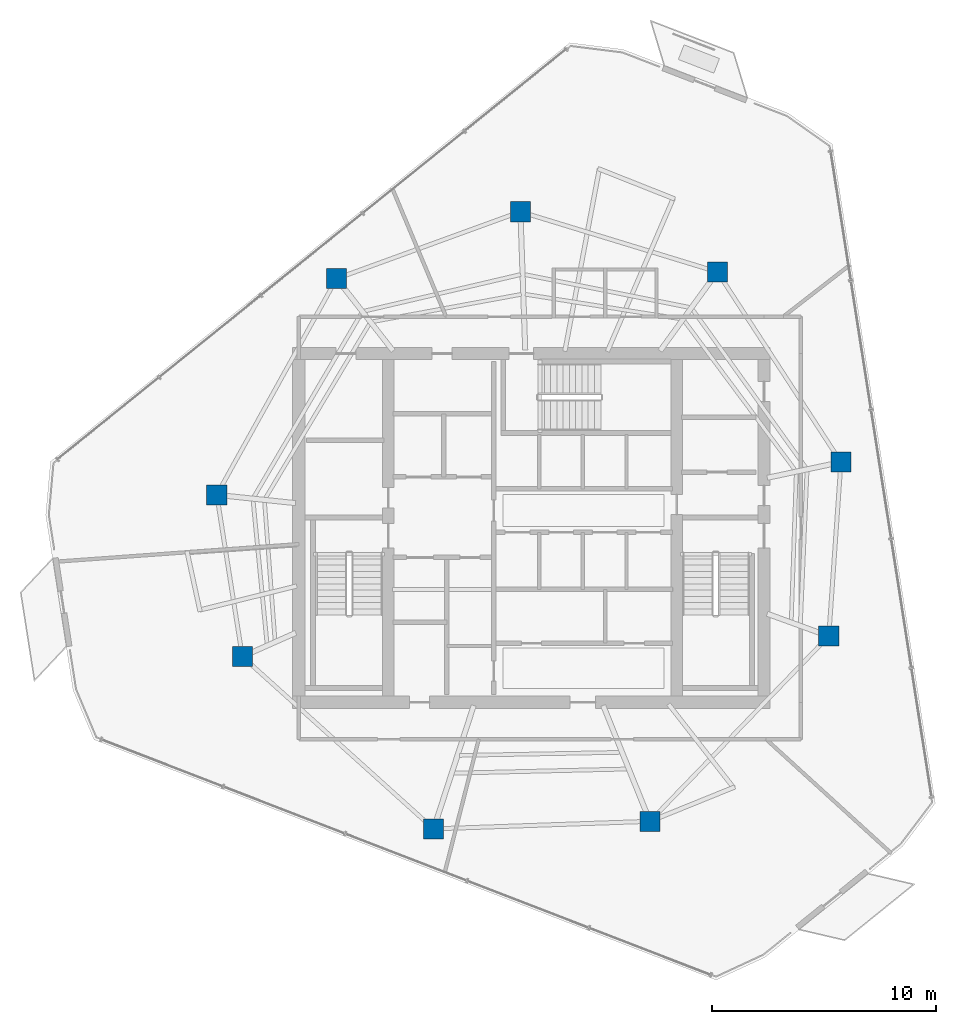
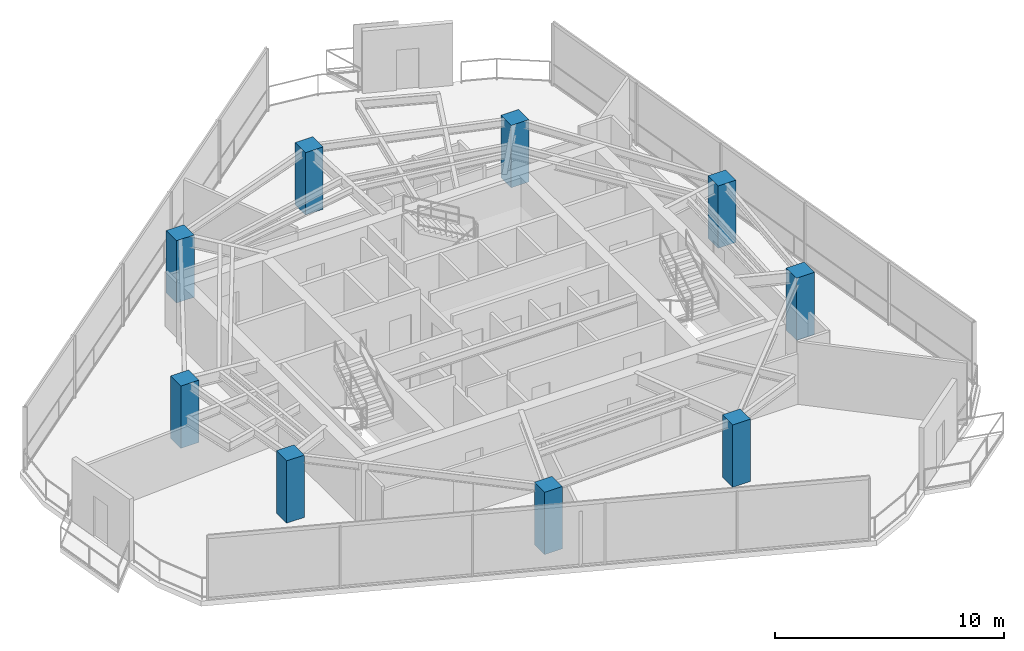
# One storey, part 1 of 19: 9 columns.
"""IFC4 building model written with IfcOpenShell, lengths in metres."""

from ifc_helpers import new_model, si_unit, direction, frame, origin, origin_2d, place, context, subcontext, project, spatial, rectangle, extrude, material, material_profile, profile_set, type_object, element, save


model = new_model("IFC4")

# Units and contexts
model_context = context("Model", 3, precision=1e-05, world=origin(), true_north=direction((0.0, 1.0)))
body_context = subcontext(model_context, "Body", "Model", "MODEL_VIEW")
ifc_project = project(units=[si_unit("LENGTHUNIT", "METRE"), si_unit("AREAUNIT", "SQUARE_METRE"), si_unit("VOLUMEUNIT", "CUBIC_METRE"), si_unit("PLANEANGLEUNIT", "RADIAN"), si_unit("MASSUNIT", "GRAM", prefix="KILO")], contexts=[model_context])

# Site, building, storey
site_placement = place(None, origin())
site = spatial("IfcSite", under=ifc_project, at=site_placement, CompositionType="ELEMENT")
building_placement = place(site_placement, origin())
building = spatial("IfcBuilding", under=site, at=building_placement, Name="Qarnah Convention Tower", CompositionType="ELEMENT")
storey_placement = place(building_placement, frame((0.0, 0.0, 213.0)))
storey = spatial("IfcBuildingStorey", under=building, at=storey_placement, Name="L57", CompositionType="ELEMENT", Elevation=213.0)

# Columns
ifc_material = material(Name="Concrete C50/60", Category="concrete")
ifc_material_profile = material_profile(ifc_material, rectangle(XDim=0.89990234375, YDim=0.89990234375, at=origin_2d()), Name="RC-COL-900X900")
ifc_profile_set = profile_set([ifc_material_profile], Name="Concrete C50/60")
column_type = type_object("IfcColumnType", Name="COL-Z4-900", PredefinedType="COLUMN", material=ifc_profile_set)
for number, where, z_axis, x_axis, name in (
    (1, (51.041015625, 29.342041015625, 0.0), (0.0, 0.0, 1.0), (1.0, 0.0, 0.0), "L57 plumb column PC-Z4-01"),
    (2, (45.51708984375, 37.847900390625, 0.0), (0.0, 0.0, 1.0), (1.0, 0.0, 0.0), "L57 plumb column PC-Z4-02"),
    (3, (36.7060546875, 40.541015625, 0.0), (0.0, 0.0, 1.0), (1.0, 0.0, 0.0), "L57 plumb column PC-Z4-03"),
    (4, (28.488037109375, 37.550048828125, 0.0), (0.0, 0.0, 1.0), (1.0, 0.0, 0.0), "L57 plumb column PC-Z4-04"),
    (5, (23.1279296875, 27.87890625, 0.0), (0.0, 0.0, 1.0), (1.0, 0.0, 0.0), "L57 plumb column PC-Z4-05"),
    (6, (24.27294921875, 20.64501953125, 0.0), (0.0, 0.0, 1.0), (1.0, 0.0, 0.0), "L57 plumb column PC-Z4-06"),
    (7, (32.826904296875, 12.943115234375, 0.0), (0.0, 0.0, 1.0), (1.0, 0.0, 0.0), "L57 plumb column PC-Z4-07"),
    (8, (42.5009765625, 13.280029296875, 0.0), (0.0, 0.0, 1.0), (1.0, 0.0, 0.0), "L57 plumb column PC-Z4-08"),
    (9, (50.4970703125, 21.56005859375, 0.0), (0.0, 0.0, 1.0), (1.0, 0.0, 0.0), "L57 plumb column PC-Z4-09"),
):
    element("IfcColumn", number, at=place(storey_placement, frame(where, z_axis=z_axis, x_axis=x_axis)), inside=storey, type_object=column_type, Name=name, PredefinedType="COLUMN", context=body_context, shape_type="SweptSolid", body=[
        extrude(rectangle(XDim=0.89990234375, YDim=0.89990234375, at=origin_2d()), origin(), (0.0, 0.0, 1.0), 3.320068359375),
    ])

save(model, "model.ifc")
